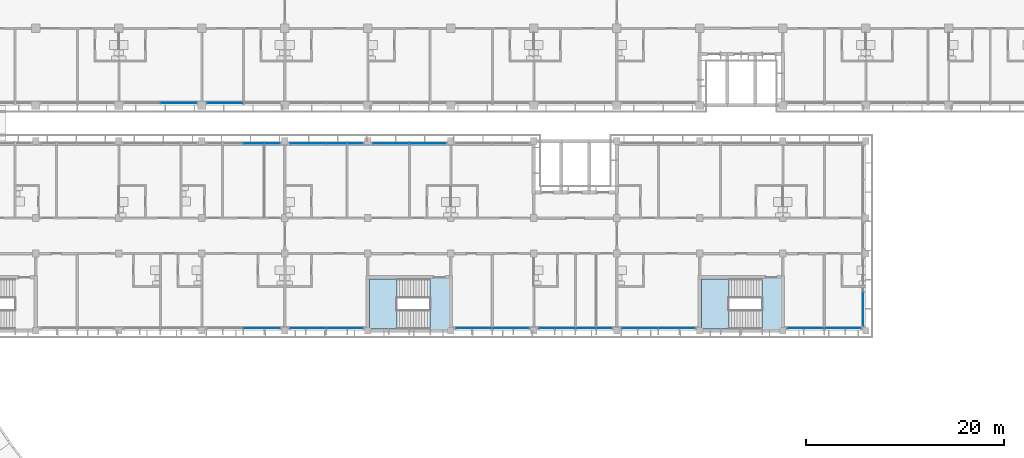
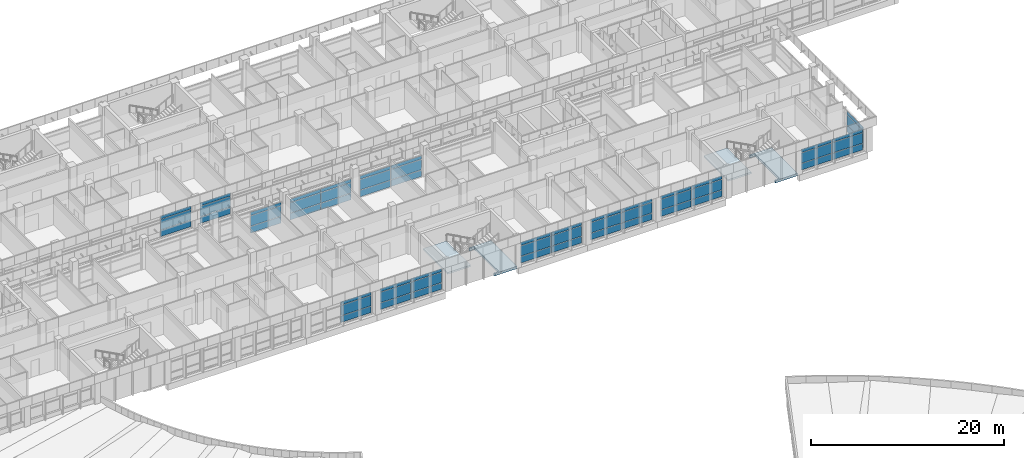
# One storey, part 23 of 74: 57 plates, 4 slabs, 14 elements without a shape of their own.
"""IFC4 building model written with IfcOpenShell, lengths in metres."""

import ifcopenshell
import ifcopenshell.guid

model = None  # the IFC model being written
_history = None  # IfcOwnerHistory: only IFC2X3 demands one
_inside = {}  # id of a spatial element -> (the spatial element, [elements in it])
_under = {}  # id of a project, library or spatial element -> (it, [spatial elements below it])
_declared = {}  # id of a project -> (the project, [libraries it declares])
_typed = {}  # id of a type object -> (the type object, [elements of that type])
_made_of = {}  # id of a material, layer set ... -> (it, [elements and type objects made of it])


def new_model(schema):
    """Start an empty IFC model of exactly this schema.

    Asked for "IFC4X3", IfcOpenShell would pick the latest addendum, in which some entities
    have other attributes; the version numbers below select the first issue.
    IFC2X3 requires an IfcOwnerHistory on every rooted entity: one is made here for all.
    """
    global model, _history
    if schema == "IFC4X3":
        model = ifcopenshell.file(schema_version=(4, 3, 0, 0))
    else:
        model = ifcopenshell.file(schema=schema)
    _inside.clear()
    _under.clear()
    _declared.clear()
    _typed.clear()
    _made_of.clear()
    _history = None
    if model.schema == "IFC2X3":
        org = make("IfcOrganization", Name="unknown")
        user = make(
            "IfcPersonAndOrganization",
            ThePerson=make("IfcPerson", FamilyName="unknown"),
            TheOrganization=org,
        )
        app = make(
            "IfcApplication",
            ApplicationDeveloper=org,
            Version="unknown",
            ApplicationFullName="unknown",
            ApplicationIdentifier="unknown",
        )
        _history = make(
            "IfcOwnerHistory",
            OwningUser=user,
            OwningApplication=app,
            ChangeAction="ADDED",
            CreationDate=0,
        )
    return model


def make(cls, **values):
    """One entity of the class cls with the attributes given. An attribute that is None is left unset."""
    return model.create_entity(
        cls, **{name: value for name, value in values.items() if value is not None}
    )


def rooted(cls, **values):
    """An entity with a GlobalId (a new one), such as an element, a storey or a relation."""
    return make(cls, GlobalId=ifcopenshell.guid.new(), OwnerHistory=_history, **values)


def si_unit(unit_type, name, prefix=None):
    """IfcSIUnit, for example si_unit("LENGTHUNIT", "METRE", prefix="MILLI")."""
    return make("IfcSIUnit", UnitType=unit_type, Prefix=prefix, Name=name)


def assignment(units):
    """IfcUnitAssignment: the units of a project."""
    return None if units is None else make("IfcUnitAssignment", Units=units)


def point(xyz):
    """IfcCartesianPoint."""
    return None if xyz is None else make("IfcCartesianPoint", Coordinates=xyz)


def direction(xyz):
    """IfcDirection."""
    return None if xyz is None else make("IfcDirection", DirectionRatios=xyz)


def frame(location, z_axis=None, x_axis=None):
    """IfcAxis2Placement3D, a coordinate frame: its origin and axes. An axis left out is left unset."""
    return make(
        "IfcAxis2Placement3D",
        Location=point(location),
        Axis=direction(z_axis),
        RefDirection=direction(x_axis),
    )


def frame_2d(location, x_axis=None):
    """IfcAxis2Placement2D, a coordinate frame in the plane: its origin and x axis."""
    return make(
        "IfcAxis2Placement2D", Location=point(location), RefDirection=direction(x_axis)
    )


def origin():
    """The frame at (0, 0, 0) with its axes left unset."""
    return frame((0.0, 0.0, 0.0))


def origin_2d():
    """The frame at (0, 0) in the plane with its x axis left unset."""
    return frame_2d((0.0, 0.0))


def place(relative_to, where):
    """IfcLocalPlacement: puts the frame where relative to a parent placement (None: the world)."""
    return make(
        "IfcLocalPlacement", PlacementRelTo=relative_to, RelativePlacement=where
    )


def context(
    kind, dimensions, precision=None, world=None, true_north=None, identifier=None
):
    """IfcGeometricRepresentationContext, for example the 3D "Model" context."""
    return make(
        "IfcGeometricRepresentationContext",
        ContextIdentifier=identifier,
        ContextType=kind,
        CoordinateSpaceDimension=dimensions,
        Precision=precision,
        WorldCoordinateSystem=world,
        TrueNorth=true_north,
    )


def subcontext(parent, identifier, kind, view, scale=None):
    """IfcGeometricRepresentationSubContext, for example "Body" below "Model"."""
    return make(
        "IfcGeometricRepresentationSubContext",
        ContextIdentifier=identifier,
        ContextType=kind,
        ParentContext=parent,
        TargetScale=scale,
        TargetView=view,
    )


def project(units=None, contexts=None):
    """IfcProject with its units and contexts."""
    return rooted(
        "IfcProject",
        Name="project",
        RepresentationContexts=contexts,
        UnitsInContext=assignment(units),
    )


def spatial(cls, under=None, at=None, **own):
    """A site, building, storey or space (cls), placed at a placement, below another one or the project."""
    s = rooted(cls, ObjectPlacement=at, **own)
    if under is not None:
        _under.setdefault(under.id(), (under, []))[1].append(s)
    return s


def polyline(points):
    """IfcPolyline through the points."""
    return make("IfcPolyline", Points=[point(p) for p in points])


def profile(cls, at=None, kind="AREA", **sizes):
    """A parametric profile (cls). Its sizes go by their IFC names, for example OverallWidth=200.0."""
    return make(cls, ProfileType=kind, Position=at, **sizes)


def rectangle(**sizes):
    """IfcRectangleProfileDef."""
    return profile("IfcRectangleProfileDef", **sizes)


def outline(outer, holes=None, kind="AREA"):
    """IfcArbitraryClosedProfileDef: a profile drawn as a closed curve; with holes, ...WithVoids."""
    if holes is None:
        return make("IfcArbitraryClosedProfileDef", ProfileType=kind, OuterCurve=outer)
    return make(
        "IfcArbitraryProfileDefWithVoids",
        ProfileType=kind,
        OuterCurve=outer,
        InnerCurves=holes,
    )


def extrude(swept, where, along, depth):
    """IfcExtrudedAreaSolid: the profile swept, set in the frame where, extruded along a direction by depth."""
    return make(
        "IfcExtrudedAreaSolid",
        SweptArea=swept,
        Position=where,
        ExtrudedDirection=direction(along),
        Depth=depth,
    )


def shape(context_of_items, identifier, shape_type, items):
    """IfcShapeRepresentation: the items that make up one representation, for example the "Body"."""
    return make(
        "IfcShapeRepresentation",
        ContextOfItems=context_of_items,
        RepresentationIdentifier=identifier,
        RepresentationType=shape_type,
        Items=items,
    )


def material(Name=None, Category=None):
    """IfcMaterial."""
    return make("IfcMaterial", Name=Name, Category=Category)


def layer(
    of_material, thickness, ventilated=None, Name=None, Category=None, Priority=None
):
    """IfcMaterialLayer: one layer of a wall or slab, of a material (None: an air gap)."""
    return make(
        "IfcMaterialLayer",
        Material=of_material,
        LayerThickness=thickness,
        IsVentilated=ventilated,
        Name=Name,
        Category=Category,
        Priority=Priority,
    )


def layer_set(layers, Name=None):
    """IfcMaterialLayerSet."""
    return make("IfcMaterialLayerSet", MaterialLayers=layers, LayerSetName=Name)


def made_of(thing, what):
    """Note that an element or type object is made of a material, layer set ...; save() writes the relation."""
    if what is not None:
        _made_of.setdefault(what.id(), (what, []))[1].append(thing)
    return thing


def type_object(cls, material=None, **own):
    """A type object (cls), such as IfcWallType, which elements share."""
    return made_of(rooted(cls, **own), material)


def element(
    cls,
    number,
    at=None,
    inside=None,
    cuts=None,
    type_object=None,
    material=None,
    context=None,
    identifier="Body",
    shape_type=None,
    held_by="IfcProductDefinitionShape",
    body=None,
    shapes=None,
    **own,
):
    """One element of the class cls, such as IfcWall. Its Tag is "e" and its number.

    at: its placement. inside: the storey or other place that contains it. cuts: it is an
    opening in that element (IfcRelVoidsElement). A single representation is given by context,
    identifier, shape_type and body (its items); several are given by shapes. held_by: the class
    of the entity that holds the representations. save() writes the other relations.
    """
    e = rooted(cls, Tag="e%d" % number, ObjectPlacement=at, **own)
    if body is not None:
        shapes = [shape(context, identifier, shape_type, body)]
    if shapes is not None:
        e.Representation = make(held_by, Representations=shapes)
    if inside is not None:
        _inside.setdefault(inside.id(), (inside, []))[1].append(e)
    if cuts is not None:
        rooted(
            "IfcRelVoidsElement", RelatingBuildingElement=cuts, RelatedOpeningElement=e
        )
    if type_object is not None:
        _typed.setdefault(type_object.id(), (type_object, []))[1].append(e)
    return made_of(e, material)


def aggregate(whole, parts):
    """IfcRelAggregates: a whole, such as a stair, and the parts it consists of."""
    return rooted("IfcRelAggregates", RelatingObject=whole, RelatedObjects=parts)


def save(model, path):
    """Write the relations noted so far, then the file.

    IfcRelAggregates (storeys below a building ...), IfcRelContainedInSpatialStructure (elements
    in a storey), IfcRelDefinesByType, IfcRelAssociatesMaterial and IfcRelDeclares: one each for
    every whole, place, type object, material and project.
    """
    for whole, parts in _under.values():
        aggregate(whole, parts)
    for where, things in _inside.values():
        rooted(
            "IfcRelContainedInSpatialStructure",
            RelatedElements=things,
            RelatingStructure=where,
        )
    for kind, things in _typed.values():
        rooted("IfcRelDefinesByType", RelatedObjects=things, RelatingType=kind)
    for what, things in _made_of.values():
        rooted("IfcRelAssociatesMaterial", RelatedObjects=things, RelatingMaterial=what)
    for by, libraries in _declared.values():
        rooted("IfcRelDeclares", RelatingContext=by, RelatedDefinitions=libraries)
    model.write(path)


model = new_model("IFC4")

# Units and contexts
model_context = context("Model", 3, precision=1e-05, world=origin(), true_north=direction((0.0, 1.0)))
body_context = subcontext(model_context, "Body", "Model", "MODEL_VIEW")
ifc_project = project(units=[si_unit("LENGTHUNIT", "METRE"), si_unit("AREAUNIT", "SQUARE_METRE"), si_unit("VOLUMEUNIT", "CUBIC_METRE"), si_unit("PLANEANGLEUNIT", "RADIAN"), si_unit("MASSUNIT", "GRAM", prefix="KILO")], contexts=[model_context])

# Site, building, storey
site_placement = place(None, origin())
site = spatial("IfcSite", under=ifc_project, at=site_placement, CompositionType="ELEMENT")
building_placement = place(site_placement, origin())
building = spatial("IfcBuilding", under=site, at=building_placement, Name="Bougainvillea Quay General Hospital", CompositionType="ELEMENT")
storey_placement = place(building_placement, frame((0.0, 0.0, 21.0)))
storey = spatial("IfcBuildingStorey", under=building, at=storey_placement, Name="L04", CompositionType="ELEMENT", Elevation=21.0)

# Curtain wall, plates
ifc_material_1 = material(Name="Aluminium curtain wall system, powder-coated glazed", Category="aluminium")
curtain_wall_type_1 = type_object("IfcCurtainWallType", Name="Unitised curtain wall CW-3730", PredefinedType="NOTDEFINED", material=ifc_material_1)
curtain_wall_1_placement = place(storey_placement, origin())
curtain_wall_1 = element("IfcCurtainWall", 1, at=curtain_wall_1_placement, inside=storey, type_object=curtain_wall_type_1, Name="CW-4200 02", PredefinedType="NOTDEFINED")
ifc_material_2 = material(Name="Insulated aluminium spandrel panel, white", Category="aluminium")
ifc_layer_1 = layer(ifc_material_2, 0.028076171875)
ifc_layer_set_1 = layer_set([ifc_layer_1], Name="Insulated aluminium spandrel panel, white")
plate_type_1 = type_object("IfcPlateType", Name="Insulated spandrel panel white 28", PredefinedType="CURTAIN_PANEL", material=ifc_layer_set_1)
plate_1_placement = place(storey_placement, frame((98.449951171875, 140.64990234375, 0.06005859375), z_axis=(0.0, 0.0, 1.0), x_axis=(1.0, 0.0, 0.0)))
plate_1 = element("IfcPlate", 2, at=plate_1_placement, type_object=plate_type_1, Name="CW-4200 spandrel panel 2.1", PredefinedType="CURTAIN_PANEL", context=body_context, shape_type="SweptSolid", body=[
    extrude(rectangle(XDim=3.639892578125, YDim=0.028076171875, at=origin_2d()), origin(), (0.0, 0.0, 1.0), 0.81005859375),
])
plate_2_placement = place(storey_placement, frame((98.449951171875, 140.64990234375, 2.2802734375), z_axis=(0.0, 0.0, 1.0), x_axis=(1.0, 0.0, 0.0)))
plate_2 = element("IfcPlate", 3, at=plate_2_placement, type_object=plate_type_1, Name="CW-4200 spandrel panel 2.3", PredefinedType="CURTAIN_PANEL", context=body_context, shape_type="SweptSolid", body=[
    extrude(rectangle(XDim=3.639892578125, YDim=0.028076171875, at=origin_2d()), origin(), (0.0, 0.0, 1.0), 0.409912109375),
])

curtain_wall_2_placement = place(storey_placement, origin())
curtain_wall_2 = element("IfcCurtainWall", 4, at=curtain_wall_2_placement, inside=storey, type_object=curtain_wall_type_1, Name="CW-4200 03", PredefinedType="NOTDEFINED")
plate_3_placement = place(storey_placement, frame((103.14990234375, 140.64990234375, 0.06005859375), z_axis=(0.0, 0.0, 1.0), x_axis=(1.0, 0.0, 0.0)))
plate_3 = element("IfcPlate", 5, at=plate_3_placement, type_object=plate_type_1, Name="CW-4200 spandrel panel 1.1", PredefinedType="CURTAIN_PANEL", context=body_context, shape_type="SweptSolid", body=[
    extrude(rectangle(XDim=3.639892578125, YDim=0.028076171875, at=origin_2d()), origin(), (0.0, 0.0, 1.0), 0.81005859375),
])
plate_4_placement = place(storey_placement, frame((103.14990234375, 140.64990234375, 2.2802734375), z_axis=(0.0, 0.0, 1.0), x_axis=(1.0, 0.0, 0.0)))
plate_4 = element("IfcPlate", 6, at=plate_4_placement, type_object=plate_type_1, Name="CW-4200 spandrel panel 1.3", PredefinedType="CURTAIN_PANEL", context=body_context, shape_type="SweptSolid", body=[
    extrude(rectangle(XDim=3.639892578125, YDim=0.028076171875, at=origin_2d()), origin(), (0.0, 0.0, 1.0), 0.409912109375),
])

curtain_wall_3_placement = place(storey_placement, origin())
curtain_wall_3 = element("IfcCurtainWall", 7, at=curtain_wall_3_placement, inside=storey, type_object=curtain_wall_type_1, Name="CW-4200 05", PredefinedType="NOTDEFINED")
plate_5_placement = place(storey_placement, frame((106.85009765625, 117.85009765625, 0.06005859375), z_axis=(0.0, 0.0, 1.0), x_axis=(1.0, 0.0, 0.0)))
plate_5 = element("IfcPlate", 8, at=plate_5_placement, type_object=plate_type_1, Name="CW-4200 spandrel panel 2.1", PredefinedType="CURTAIN_PANEL", context=body_context, shape_type="SweptSolid", body=[
    extrude(rectangle(XDim=3.639892578125, YDim=0.028076171875, at=origin_2d()), origin(), (0.0, 0.0, 1.0), 0.81005859375),
])
plate_6_placement = place(storey_placement, frame((106.85009765625, 117.85009765625, 2.2802734375), z_axis=(0.0, 0.0, 1.0), x_axis=(1.0, 0.0, 0.0)))
plate_6 = element("IfcPlate", 9, at=plate_6_placement, type_object=plate_type_1, Name="CW-4200 spandrel panel 2.3", PredefinedType="CURTAIN_PANEL", context=body_context, shape_type="SweptSolid", body=[
    extrude(rectangle(XDim=3.639892578125, YDim=0.028076171875, at=origin_2d()), origin(), (0.0, 0.0, 1.0), 0.409912109375),
])

curtain_wall_4_placement = place(storey_placement, origin())
curtain_wall_4 = element("IfcCurtainWall", 10, at=curtain_wall_4_placement, inside=storey, type_object=curtain_wall_type_1, Name="CW-4200 06", PredefinedType="NOTDEFINED")
plate_7_placement = place(storey_placement, frame((111.550048828125, 117.85009765625, 0.06005859375), z_axis=(0.0, 0.0, 1.0), x_axis=(1.0, 0.0, 0.0)))
plate_7 = element("IfcPlate", 11, at=plate_7_placement, type_object=plate_type_1, Name="CW-4200 spandrel panel 1.1", PredefinedType="CURTAIN_PANEL", context=body_context, shape_type="SweptSolid", body=[
    extrude(rectangle(XDim=3.639892578125, YDim=0.028076171875, at=origin_2d()), origin(), (0.0, 0.0, 1.0), 0.81005859375),
])
plate_8_placement = place(storey_placement, frame((111.550048828125, 117.85009765625, 2.2802734375), z_axis=(0.0, 0.0, 1.0), x_axis=(1.0, 0.0, 0.0)))
plate_8 = element("IfcPlate", 12, at=plate_8_placement, type_object=plate_type_1, Name="CW-4200 spandrel panel 1.3", PredefinedType="CURTAIN_PANEL", context=body_context, shape_type="SweptSolid", body=[
    extrude(rectangle(XDim=3.639892578125, YDim=0.028076171875, at=origin_2d()), origin(), (0.0, 0.0, 1.0), 0.409912109375),
])
plate_9_placement = place(storey_placement, frame((115.25, 117.85009765625, 0.06005859375), z_axis=(0.0, 0.0, 1.0), x_axis=(1.0, 0.0, 0.0)))
plate_9 = element("IfcPlate", 13, at=plate_9_placement, type_object=plate_type_1, Name="CW-4200 spandrel panel 2.1", PredefinedType="CURTAIN_PANEL", context=body_context, shape_type="SweptSolid", body=[
    extrude(rectangle(XDim=3.639892578125, YDim=0.028076171875, at=origin_2d()), origin(), (0.0, 0.0, 1.0), 0.81005859375),
])
plate_10_placement = place(storey_placement, frame((115.25, 117.85009765625, 2.2802734375), z_axis=(0.0, 0.0, 1.0), x_axis=(1.0, 0.0, 0.0)))
plate_10 = element("IfcPlate", 14, at=plate_10_placement, type_object=plate_type_1, Name="CW-4200 spandrel panel 2.3", PredefinedType="CURTAIN_PANEL", context=body_context, shape_type="SweptSolid", body=[
    extrude(rectangle(XDim=3.639892578125, YDim=0.028076171875, at=origin_2d()), origin(), (0.0, 0.0, 1.0), 0.409912109375),
])

curtain_wall_5_placement = place(storey_placement, origin())
curtain_wall_5 = element("IfcCurtainWall", 15, at=curtain_wall_5_placement, inside=storey, type_object=curtain_wall_type_1, Name="CW-4200 07", PredefinedType="NOTDEFINED")
plate_11_placement = place(storey_placement, frame((128.35009765625, 117.85009765625, 0.06005859375), z_axis=(0.0, 0.0, 1.0), x_axis=(1.0, 0.0, 0.0)))
plate_11 = element("IfcPlate", 16, at=plate_11_placement, type_object=plate_type_1, Name="CW-4200 spandrel panel 1.1", PredefinedType="CURTAIN_PANEL", context=body_context, shape_type="SweptSolid", body=[
    extrude(rectangle(XDim=3.639892578125, YDim=0.028076171875, at=origin_2d()), origin(), (0.0, 0.0, 1.0), 0.81005859375),
])
plate_12_placement = place(storey_placement, frame((128.35009765625, 117.85009765625, 2.2802734375), z_axis=(0.0, 0.0, 1.0), x_axis=(1.0, 0.0, 0.0)))
plate_12 = element("IfcPlate", 17, at=plate_12_placement, type_object=plate_type_1, Name="CW-4200 spandrel panel 1.3", PredefinedType="CURTAIN_PANEL", context=body_context, shape_type="SweptSolid", body=[
    extrude(rectangle(XDim=3.639892578125, YDim=0.028076171875, at=origin_2d()), origin(), (0.0, 0.0, 1.0), 0.409912109375),
])
plate_13_placement = place(storey_placement, frame((132.050048828125, 117.85009765625, 0.06005859375), z_axis=(0.0, 0.0, 1.0), x_axis=(1.0, 0.0, 0.0)))
plate_13 = element("IfcPlate", 18, at=plate_13_placement, type_object=plate_type_1, Name="CW-4200 spandrel panel 2.1", PredefinedType="CURTAIN_PANEL", context=body_context, shape_type="SweptSolid", body=[
    extrude(rectangle(XDim=3.639892578125, YDim=0.028076171875, at=origin_2d()), origin(), (0.0, 0.0, 1.0), 0.81005859375),
])
plate_14_placement = place(storey_placement, frame((132.050048828125, 117.85009765625, 2.2802734375), z_axis=(0.0, 0.0, 1.0), x_axis=(1.0, 0.0, 0.0)))
plate_14 = element("IfcPlate", 19, at=plate_14_placement, type_object=plate_type_1, Name="CW-4200 spandrel panel 2.3", PredefinedType="CURTAIN_PANEL", context=body_context, shape_type="SweptSolid", body=[
    extrude(rectangle(XDim=3.639892578125, YDim=0.028076171875, at=origin_2d()), origin(), (0.0, 0.0, 1.0), 0.409912109375),
])

curtain_wall_6_placement = place(storey_placement, origin())
curtain_wall_6 = element("IfcCurtainWall", 20, at=curtain_wall_6_placement, inside=storey, type_object=curtain_wall_type_1, Name="CW-4200 08", PredefinedType="NOTDEFINED")
plate_15_placement = place(storey_placement, frame((136.75, 117.85009765625, 0.06005859375), z_axis=(0.0, 0.0, 1.0), x_axis=(1.0, 0.0, 0.0)))
plate_15 = element("IfcPlate", 21, at=plate_15_placement, type_object=plate_type_1, Name="CW-4200 spandrel panel 1.1", PredefinedType="CURTAIN_PANEL", context=body_context, shape_type="SweptSolid", body=[
    extrude(rectangle(XDim=3.639892578125, YDim=0.028076171875, at=origin_2d()), origin(), (0.0, 0.0, 1.0), 0.81005859375),
])
plate_16_placement = place(storey_placement, frame((136.75, 117.85009765625, 2.2802734375), z_axis=(0.0, 0.0, 1.0), x_axis=(1.0, 0.0, 0.0)))
plate_16 = element("IfcPlate", 22, at=plate_16_placement, type_object=plate_type_1, Name="CW-4200 spandrel panel 1.3", PredefinedType="CURTAIN_PANEL", context=body_context, shape_type="SweptSolid", body=[
    extrude(rectangle(XDim=3.639892578125, YDim=0.028076171875, at=origin_2d()), origin(), (0.0, 0.0, 1.0), 0.409912109375),
])
plate_17_placement = place(storey_placement, frame((140.449951171875, 117.85009765625, 0.06005859375), z_axis=(0.0, 0.0, 1.0), x_axis=(1.0, 0.0, 0.0)))
plate_17 = element("IfcPlate", 23, at=plate_17_placement, type_object=plate_type_1, Name="CW-4200 spandrel panel 2.1", PredefinedType="CURTAIN_PANEL", context=body_context, shape_type="SweptSolid", body=[
    extrude(rectangle(XDim=3.639892578125, YDim=0.028076171875, at=origin_2d()), origin(), (0.0, 0.0, 1.0), 0.81005859375),
])
plate_18_placement = place(storey_placement, frame((140.449951171875, 117.85009765625, 2.2802734375), z_axis=(0.0, 0.0, 1.0), x_axis=(1.0, 0.0, 0.0)))
plate_18 = element("IfcPlate", 24, at=plate_18_placement, type_object=plate_type_1, Name="CW-4200 spandrel panel 2.3", PredefinedType="CURTAIN_PANEL", context=body_context, shape_type="SweptSolid", body=[
    extrude(rectangle(XDim=3.639892578125, YDim=0.028076171875, at=origin_2d()), origin(), (0.0, 0.0, 1.0), 0.409912109375),
])

curtain_wall_7_placement = place(storey_placement, origin())
curtain_wall_7 = element("IfcCurtainWall", 25, at=curtain_wall_7_placement, inside=storey, type_object=curtain_wall_type_1, Name="CW-4200 09", PredefinedType="NOTDEFINED")
plate_19_placement = place(storey_placement, frame((145.14990234375, 117.85009765625, 0.06005859375), z_axis=(0.0, 0.0, 1.0), x_axis=(1.0, 0.0, 0.0)))
plate_19 = element("IfcPlate", 26, at=plate_19_placement, type_object=plate_type_1, Name="CW-4200 spandrel panel 1.1", PredefinedType="CURTAIN_PANEL", context=body_context, shape_type="SweptSolid", body=[
    extrude(rectangle(XDim=3.639892578125, YDim=0.028076171875, at=origin_2d()), origin(), (0.0, 0.0, 1.0), 0.81005859375),
])
plate_20_placement = place(storey_placement, frame((145.14990234375, 117.85009765625, 2.2802734375), z_axis=(0.0, 0.0, 1.0), x_axis=(1.0, 0.0, 0.0)))
plate_20 = element("IfcPlate", 27, at=plate_20_placement, type_object=plate_type_1, Name="CW-4200 spandrel panel 1.3", PredefinedType="CURTAIN_PANEL", context=body_context, shape_type="SweptSolid", body=[
    extrude(rectangle(XDim=3.639892578125, YDim=0.028076171875, at=origin_2d()), origin(), (0.0, 0.0, 1.0), 0.409912109375),
])
plate_21_placement = place(storey_placement, frame((148.85009765625, 117.85009765625, 0.06005859375), z_axis=(0.0, 0.0, 1.0), x_axis=(1.0, 0.0, 0.0)))
plate_21 = element("IfcPlate", 28, at=plate_21_placement, type_object=plate_type_1, Name="CW-4200 spandrel panel 2.1", PredefinedType="CURTAIN_PANEL", context=body_context, shape_type="SweptSolid", body=[
    extrude(rectangle(XDim=3.639892578125, YDim=0.028076171875, at=origin_2d()), origin(), (0.0, 0.0, 1.0), 0.81005859375),
])
plate_22_placement = place(storey_placement, frame((148.85009765625, 117.85009765625, 2.2802734375), z_axis=(0.0, 0.0, 1.0), x_axis=(1.0, 0.0, 0.0)))
plate_22 = element("IfcPlate", 29, at=plate_22_placement, type_object=plate_type_1, Name="CW-4200 spandrel panel 2.3", PredefinedType="CURTAIN_PANEL", context=body_context, shape_type="SweptSolid", body=[
    extrude(rectangle(XDim=3.639892578125, YDim=0.028076171875, at=origin_2d()), origin(), (0.0, 0.0, 1.0), 0.409912109375),
])

curtain_wall_8_placement = place(storey_placement, origin())
curtain_wall_8 = element("IfcCurtainWall", 30, at=curtain_wall_8_placement, inside=storey, type_object=curtain_wall_type_1, Name="CW-4200 10", PredefinedType="NOTDEFINED")
plate_23_placement = place(storey_placement, frame((161.949951171875, 117.85009765625, 0.06005859375), z_axis=(0.0, 0.0, 1.0), x_axis=(1.0, 0.0, 0.0)))
plate_23 = element("IfcPlate", 31, at=plate_23_placement, type_object=plate_type_1, Name="CW-4200 spandrel panel 1.1", PredefinedType="CURTAIN_PANEL", context=body_context, shape_type="SweptSolid", body=[
    extrude(rectangle(XDim=3.639892578125, YDim=0.028076171875, at=origin_2d()), origin(), (0.0, 0.0, 1.0), 0.81005859375),
])
plate_24_placement = place(storey_placement, frame((161.949951171875, 117.85009765625, 2.2802734375), z_axis=(0.0, 0.0, 1.0), x_axis=(1.0, 0.0, 0.0)))
plate_24 = element("IfcPlate", 32, at=plate_24_placement, type_object=plate_type_1, Name="CW-4200 spandrel panel 1.3", PredefinedType="CURTAIN_PANEL", context=body_context, shape_type="SweptSolid", body=[
    extrude(rectangle(XDim=3.639892578125, YDim=0.028076171875, at=origin_2d()), origin(), (0.0, 0.0, 1.0), 0.409912109375),
])
plate_25_placement = place(storey_placement, frame((165.64990234375, 117.85009765625, 0.06005859375), z_axis=(0.0, 0.0, 1.0), x_axis=(1.0, 0.0, 0.0)))
plate_25 = element("IfcPlate", 33, at=plate_25_placement, type_object=plate_type_1, Name="CW-4200 spandrel panel 2.1", PredefinedType="CURTAIN_PANEL", context=body_context, shape_type="SweptSolid", body=[
    extrude(rectangle(XDim=3.639892578125, YDim=0.028076171875, at=origin_2d()), origin(), (0.0, 0.0, 1.0), 0.81005859375),
])
plate_26_placement = place(storey_placement, frame((165.64990234375, 117.85009765625, 2.2802734375), z_axis=(0.0, 0.0, 1.0), x_axis=(1.0, 0.0, 0.0)))
plate_26 = element("IfcPlate", 34, at=plate_26_placement, type_object=plate_type_1, Name="CW-4200 spandrel panel 2.3", PredefinedType="CURTAIN_PANEL", context=body_context, shape_type="SweptSolid", body=[
    extrude(rectangle(XDim=3.639892578125, YDim=0.028076171875, at=origin_2d()), origin(), (0.0, 0.0, 1.0), 0.409912109375),
])

curtain_wall_type_2 = type_object("IfcCurtainWallType", Name="Unitised curtain wall CW-3430", PredefinedType="NOTDEFINED", material=ifc_material_1)
curtain_wall_9_placement = place(storey_placement, origin())
curtain_wall_9 = element("IfcCurtainWall", 35, at=curtain_wall_9_placement, inside=storey, type_object=curtain_wall_type_2, Name="CW-4200 00", PredefinedType="NOTDEFINED")
plate_27_placement = place(storey_placement, frame((167.75, 119.800048828125, 0.06005859375), z_axis=(0.0, 0.0, 1.0), x_axis=(0.0, 1.0, 0.0)))
plate_27 = element("IfcPlate", 36, at=plate_27_placement, type_object=plate_type_1, Name="CW-4200 spandrel panel 1.1", PredefinedType="CURTAIN_PANEL", context=body_context, shape_type="SweptSolid", body=[
    extrude(rectangle(XDim=3.340087890625, YDim=0.028076171875, at=origin_2d()), origin(), (0.0, 0.0, 1.0), 0.81005859375),
])
plate_28_placement = place(storey_placement, frame((167.75, 119.800048828125, 2.2802734375), z_axis=(0.0, 0.0, 1.0), x_axis=(0.0, 1.0, 0.0)))
plate_28 = element("IfcPlate", 37, at=plate_28_placement, type_object=plate_type_1, Name="CW-4200 spandrel panel 1.3", PredefinedType="CURTAIN_PANEL", context=body_context, shape_type="SweptSolid", body=[
    extrude(rectangle(XDim=3.340087890625, YDim=0.028076171875, at=origin_2d()), origin(), (0.0, 0.0, 1.0), 0.409912109375),
])

curtain_wall_10_placement = place(storey_placement, origin())
curtain_wall_10 = element("IfcCurtainWall", 38, at=curtain_wall_10_placement, inside=storey, type_object=curtain_wall_type_1, Name="CW-4200 01", PredefinedType="NOTDEFINED")
plate_29_placement = place(storey_placement, frame((123.64990234375, 136.550048828125, 0.06005859375), z_axis=(0.0, 0.0, 1.0), x_axis=(-1.0, 0.0, 0.0)))
plate_29 = element("IfcPlate", 39, at=plate_29_placement, type_object=plate_type_1, Name="CW-4200 spandrel panel 1.1", PredefinedType="CURTAIN_PANEL", context=body_context, shape_type="SweptSolid", body=[
    extrude(rectangle(XDim=3.639892578125, YDim=0.028076171875, at=origin_2d()), origin(), (0.0, 0.0, 1.0), 0.81005859375),
])
plate_30_placement = place(storey_placement, frame((123.64990234375, 136.550048828125, 2.2802734375), z_axis=(0.0, 0.0, 1.0), x_axis=(-1.0, 0.0, 0.0)))
plate_30 = element("IfcPlate", 40, at=plate_30_placement, type_object=plate_type_1, Name="CW-4200 spandrel panel 1.3", PredefinedType="CURTAIN_PANEL", context=body_context, shape_type="SweptSolid", body=[
    extrude(rectangle(XDim=3.639892578125, YDim=0.028076171875, at=origin_2d()), origin(), (0.0, 0.0, 1.0), 0.409912109375),
])
plate_31_placement = place(storey_placement, frame((119.949951171875, 136.550048828125, 0.06005859375), z_axis=(0.0, 0.0, 1.0), x_axis=(-1.0, 0.0, 0.0)))
plate_31 = element("IfcPlate", 41, at=plate_31_placement, type_object=plate_type_1, Name="CW-4200 spandrel panel 2.1", PredefinedType="CURTAIN_PANEL", context=body_context, shape_type="SweptSolid", body=[
    extrude(rectangle(XDim=3.639892578125, YDim=0.028076171875, at=origin_2d()), origin(), (0.0, 0.0, 1.0), 0.81005859375),
])
plate_32_placement = place(storey_placement, frame((119.949951171875, 136.550048828125, 2.2802734375), z_axis=(0.0, 0.0, 1.0), x_axis=(-1.0, 0.0, 0.0)))
plate_32 = element("IfcPlate", 42, at=plate_32_placement, type_object=plate_type_1, Name="CW-4200 spandrel panel 2.3", PredefinedType="CURTAIN_PANEL", context=body_context, shape_type="SweptSolid", body=[
    extrude(rectangle(XDim=3.639892578125, YDim=0.028076171875, at=origin_2d()), origin(), (0.0, 0.0, 1.0), 0.409912109375),
])

curtain_wall_11_placement = place(storey_placement, origin())
curtain_wall_11 = element("IfcCurtainWall", 43, at=curtain_wall_11_placement, inside=storey, type_object=curtain_wall_type_1, Name="CW-4200 02", PredefinedType="NOTDEFINED")
plate_33_placement = place(storey_placement, frame((115.25, 136.550048828125, 0.06005859375), z_axis=(0.0, 0.0, 1.0), x_axis=(-1.0, 0.0, 0.0)))
plate_33 = element("IfcPlate", 44, at=plate_33_placement, type_object=plate_type_1, Name="CW-4200 spandrel panel 1.1", PredefinedType="CURTAIN_PANEL", context=body_context, shape_type="SweptSolid", body=[
    extrude(rectangle(XDim=3.639892578125, YDim=0.028076171875, at=origin_2d()), origin(), (0.0, 0.0, 1.0), 0.81005859375),
])
plate_34_placement = place(storey_placement, frame((115.25, 136.550048828125, 2.2802734375), z_axis=(0.0, 0.0, 1.0), x_axis=(-1.0, 0.0, 0.0)))
plate_34 = element("IfcPlate", 45, at=plate_34_placement, type_object=plate_type_1, Name="CW-4200 spandrel panel 1.3", PredefinedType="CURTAIN_PANEL", context=body_context, shape_type="SweptSolid", body=[
    extrude(rectangle(XDim=3.639892578125, YDim=0.028076171875, at=origin_2d()), origin(), (0.0, 0.0, 1.0), 0.409912109375),
])
plate_35_placement = place(storey_placement, frame((111.550048828125, 136.550048828125, 0.06005859375), z_axis=(0.0, 0.0, 1.0), x_axis=(-1.0, 0.0, 0.0)))
plate_35 = element("IfcPlate", 46, at=plate_35_placement, type_object=plate_type_1, Name="CW-4200 spandrel panel 2.1", PredefinedType="CURTAIN_PANEL", context=body_context, shape_type="SweptSolid", body=[
    extrude(rectangle(XDim=3.639892578125, YDim=0.028076171875, at=origin_2d()), origin(), (0.0, 0.0, 1.0), 0.81005859375),
])
plate_36_placement = place(storey_placement, frame((111.550048828125, 136.550048828125, 2.2802734375), z_axis=(0.0, 0.0, 1.0), x_axis=(-1.0, 0.0, 0.0)))
plate_36 = element("IfcPlate", 47, at=plate_36_placement, type_object=plate_type_1, Name="CW-4200 spandrel panel 2.3", PredefinedType="CURTAIN_PANEL", context=body_context, shape_type="SweptSolid", body=[
    extrude(rectangle(XDim=3.639892578125, YDim=0.028076171875, at=origin_2d()), origin(), (0.0, 0.0, 1.0), 0.409912109375),
])

curtain_wall_12_placement = place(storey_placement, origin())
curtain_wall_12 = element("IfcCurtainWall", 48, at=curtain_wall_12_placement, inside=storey, type_object=curtain_wall_type_1, Name="CW-4200 03", PredefinedType="NOTDEFINED")
plate_37_placement = place(storey_placement, frame((106.85009765625, 136.550048828125, 0.06005859375), z_axis=(0.0, 0.0, 1.0), x_axis=(-1.0, 0.0, 0.0)))
plate_37 = element("IfcPlate", 49, at=plate_37_placement, type_object=plate_type_1, Name="CW-4200 spandrel panel 1.1", PredefinedType="CURTAIN_PANEL", context=body_context, shape_type="SweptSolid", body=[
    extrude(rectangle(XDim=3.639892578125, YDim=0.028076171875, at=origin_2d()), origin(), (0.0, 0.0, 1.0), 0.81005859375),
])
plate_38_placement = place(storey_placement, frame((106.85009765625, 136.550048828125, 2.2802734375), z_axis=(0.0, 0.0, 1.0), x_axis=(-1.0, 0.0, 0.0)))
plate_38 = element("IfcPlate", 50, at=plate_38_placement, type_object=plate_type_1, Name="CW-4200 spandrel panel 1.3", PredefinedType="CURTAIN_PANEL", context=body_context, shape_type="SweptSolid", body=[
    extrude(rectangle(XDim=3.639892578125, YDim=0.028076171875, at=origin_2d()), origin(), (0.0, 0.0, 1.0), 0.409912109375),
])

# Plate
ifc_material_3 = material(Name="Low-e laminated glass, solar control", Category="glass")
ifc_layer_2 = layer(ifc_material_3, 0.028076171875)
ifc_layer_set_2 = layer_set([ifc_layer_2], Name="Low-e laminated glass, solar control")
plate_type_2 = type_object("IfcPlateType", Name="Low-e laminated vision glass 28", PredefinedType="CURTAIN_PANEL", material=ifc_layer_set_2)
plate_39_placement = place(storey_placement, frame((98.449951171875, 140.64990234375, 0.929931640625), z_axis=(0.0, 0.0, 1.0), x_axis=(1.0, 0.0, 0.0)))
plate_39 = element("IfcPlate", 51, at=plate_39_placement, type_object=plate_type_2, Name="CW-4200 vision glass panel 2.2", PredefinedType="CURTAIN_PANEL", context=body_context, shape_type="SweptSolid", body=[
    extrude(rectangle(XDim=3.639892578125, YDim=0.028076171875, at=origin_2d()), origin(), (0.0, 0.0, 1.0), 1.2900390625),
])

aggregate(curtain_wall_1, [plate_1, plate_39, plate_2])

plate_40_placement = place(storey_placement, frame((103.14990234375, 140.64990234375, 0.929931640625), z_axis=(0.0, 0.0, 1.0), x_axis=(1.0, 0.0, 0.0)))
plate_40 = element("IfcPlate", 52, at=plate_40_placement, type_object=plate_type_2, Name="CW-4200 vision glass panel 1.2", PredefinedType="CURTAIN_PANEL", context=body_context, shape_type="SweptSolid", body=[
    extrude(rectangle(XDim=3.639892578125, YDim=0.028076171875, at=origin_2d()), origin(), (0.0, 0.0, 1.0), 1.2900390625),
])

aggregate(curtain_wall_2, [plate_3, plate_40, plate_4])

plate_41_placement = place(storey_placement, frame((106.85009765625, 117.85009765625, 0.929931640625), z_axis=(0.0, 0.0, 1.0), x_axis=(1.0, 0.0, 0.0)))
plate_41 = element("IfcPlate", 53, at=plate_41_placement, type_object=plate_type_2, Name="CW-4200 vision glass panel 2.2", PredefinedType="CURTAIN_PANEL", context=body_context, shape_type="SweptSolid", body=[
    extrude(rectangle(XDim=3.639892578125, YDim=0.028076171875, at=origin_2d()), origin(), (0.0, 0.0, 1.0), 1.2900390625),
])

aggregate(curtain_wall_3, [plate_5, plate_41, plate_6])

plate_42_placement = place(storey_placement, frame((111.550048828125, 117.85009765625, 0.929931640625), z_axis=(0.0, 0.0, 1.0), x_axis=(1.0, 0.0, 0.0)))
plate_42 = element("IfcPlate", 54, at=plate_42_placement, type_object=plate_type_2, Name="CW-4200 vision glass panel 1.2", PredefinedType="CURTAIN_PANEL", context=body_context, shape_type="SweptSolid", body=[
    extrude(rectangle(XDim=3.639892578125, YDim=0.028076171875, at=origin_2d()), origin(), (0.0, 0.0, 1.0), 1.2900390625),
])

plate_43_placement = place(storey_placement, frame((115.25, 117.85009765625, 0.929931640625), z_axis=(0.0, 0.0, 1.0), x_axis=(1.0, 0.0, 0.0)))
plate_43 = element("IfcPlate", 55, at=plate_43_placement, type_object=plate_type_2, Name="CW-4200 vision glass panel 2.2", PredefinedType="CURTAIN_PANEL", context=body_context, shape_type="SweptSolid", body=[
    extrude(rectangle(XDim=3.639892578125, YDim=0.028076171875, at=origin_2d()), origin(), (0.0, 0.0, 1.0), 1.2900390625),
])

aggregate(curtain_wall_4, [plate_7, plate_42, plate_8, plate_9, plate_43, plate_10])

plate_44_placement = place(storey_placement, frame((128.35009765625, 117.85009765625, 0.929931640625), z_axis=(0.0, 0.0, 1.0), x_axis=(1.0, 0.0, 0.0)))
plate_44 = element("IfcPlate", 56, at=plate_44_placement, type_object=plate_type_2, Name="CW-4200 vision glass panel 1.2", PredefinedType="CURTAIN_PANEL", context=body_context, shape_type="SweptSolid", body=[
    extrude(rectangle(XDim=3.639892578125, YDim=0.028076171875, at=origin_2d()), origin(), (0.0, 0.0, 1.0), 1.2900390625),
])

plate_45_placement = place(storey_placement, frame((132.050048828125, 117.85009765625, 0.929931640625), z_axis=(0.0, 0.0, 1.0), x_axis=(1.0, 0.0, 0.0)))
plate_45 = element("IfcPlate", 57, at=plate_45_placement, type_object=plate_type_2, Name="CW-4200 vision glass panel 2.2", PredefinedType="CURTAIN_PANEL", context=body_context, shape_type="SweptSolid", body=[
    extrude(rectangle(XDim=3.639892578125, YDim=0.028076171875, at=origin_2d()), origin(), (0.0, 0.0, 1.0), 1.2900390625),
])

aggregate(curtain_wall_5, [plate_11, plate_44, plate_12, plate_13, plate_45, plate_14])

plate_46_placement = place(storey_placement, frame((136.75, 117.85009765625, 0.929931640625), z_axis=(0.0, 0.0, 1.0), x_axis=(1.0, 0.0, 0.0)))
plate_46 = element("IfcPlate", 58, at=plate_46_placement, type_object=plate_type_2, Name="CW-4200 vision glass panel 1.2", PredefinedType="CURTAIN_PANEL", context=body_context, shape_type="SweptSolid", body=[
    extrude(rectangle(XDim=3.639892578125, YDim=0.028076171875, at=origin_2d()), origin(), (0.0, 0.0, 1.0), 1.2900390625),
])

plate_47_placement = place(storey_placement, frame((140.449951171875, 117.85009765625, 0.929931640625), z_axis=(0.0, 0.0, 1.0), x_axis=(1.0, 0.0, 0.0)))
plate_47 = element("IfcPlate", 59, at=plate_47_placement, type_object=plate_type_2, Name="CW-4200 vision glass panel 2.2", PredefinedType="CURTAIN_PANEL", context=body_context, shape_type="SweptSolid", body=[
    extrude(rectangle(XDim=3.639892578125, YDim=0.028076171875, at=origin_2d()), origin(), (0.0, 0.0, 1.0), 1.2900390625),
])

aggregate(curtain_wall_6, [plate_15, plate_46, plate_16, plate_17, plate_47, plate_18])

plate_48_placement = place(storey_placement, frame((145.14990234375, 117.85009765625, 0.929931640625), z_axis=(0.0, 0.0, 1.0), x_axis=(1.0, 0.0, 0.0)))
plate_48 = element("IfcPlate", 60, at=plate_48_placement, type_object=plate_type_2, Name="CW-4200 vision glass panel 1.2", PredefinedType="CURTAIN_PANEL", context=body_context, shape_type="SweptSolid", body=[
    extrude(rectangle(XDim=3.639892578125, YDim=0.028076171875, at=origin_2d()), origin(), (0.0, 0.0, 1.0), 1.2900390625),
])

plate_49_placement = place(storey_placement, frame((148.85009765625, 117.85009765625, 0.929931640625), z_axis=(0.0, 0.0, 1.0), x_axis=(1.0, 0.0, 0.0)))
plate_49 = element("IfcPlate", 61, at=plate_49_placement, type_object=plate_type_2, Name="CW-4200 vision glass panel 2.2", PredefinedType="CURTAIN_PANEL", context=body_context, shape_type="SweptSolid", body=[
    extrude(rectangle(XDim=3.639892578125, YDim=0.028076171875, at=origin_2d()), origin(), (0.0, 0.0, 1.0), 1.2900390625),
])

aggregate(curtain_wall_7, [plate_19, plate_48, plate_20, plate_21, plate_49, plate_22])

plate_50_placement = place(storey_placement, frame((161.949951171875, 117.85009765625, 0.929931640625), z_axis=(0.0, 0.0, 1.0), x_axis=(1.0, 0.0, 0.0)))
plate_50 = element("IfcPlate", 62, at=plate_50_placement, type_object=plate_type_2, Name="CW-4200 vision glass panel 1.2", PredefinedType="CURTAIN_PANEL", context=body_context, shape_type="SweptSolid", body=[
    extrude(rectangle(XDim=3.639892578125, YDim=0.028076171875, at=origin_2d()), origin(), (0.0, 0.0, 1.0), 1.2900390625),
])

plate_51_placement = place(storey_placement, frame((165.64990234375, 117.85009765625, 0.929931640625), z_axis=(0.0, 0.0, 1.0), x_axis=(1.0, 0.0, 0.0)))
plate_51 = element("IfcPlate", 63, at=plate_51_placement, type_object=plate_type_2, Name="CW-4200 vision glass panel 2.2", PredefinedType="CURTAIN_PANEL", context=body_context, shape_type="SweptSolid", body=[
    extrude(rectangle(XDim=3.639892578125, YDim=0.028076171875, at=origin_2d()), origin(), (0.0, 0.0, 1.0), 1.2900390625),
])

aggregate(curtain_wall_8, [plate_23, plate_50, plate_24, plate_25, plate_51, plate_26])

plate_52_placement = place(storey_placement, frame((167.75, 119.800048828125, 0.929931640625), z_axis=(0.0, 0.0, 1.0), x_axis=(0.0, 1.0, 0.0)))
plate_52 = element("IfcPlate", 64, at=plate_52_placement, type_object=plate_type_2, Name="CW-4200 vision glass panel 1.2", PredefinedType="CURTAIN_PANEL", context=body_context, shape_type="SweptSolid", body=[
    extrude(rectangle(XDim=3.340087890625, YDim=0.028076171875, at=origin_2d()), origin(), (0.0, 0.0, 1.0), 1.2900390625),
])

aggregate(curtain_wall_9, [plate_27, plate_52, plate_28])

plate_53_placement = place(storey_placement, frame((123.64990234375, 136.550048828125, 0.929931640625), z_axis=(0.0, 0.0, 1.0), x_axis=(-1.0, 0.0, 0.0)))
plate_53 = element("IfcPlate", 65, at=plate_53_placement, type_object=plate_type_2, Name="CW-4200 vision glass panel 1.2", PredefinedType="CURTAIN_PANEL", context=body_context, shape_type="SweptSolid", body=[
    extrude(rectangle(XDim=3.639892578125, YDim=0.028076171875, at=origin_2d()), origin(), (0.0, 0.0, 1.0), 1.2900390625),
])

plate_54_placement = place(storey_placement, frame((119.949951171875, 136.550048828125, 0.929931640625), z_axis=(0.0, 0.0, 1.0), x_axis=(-1.0, 0.0, 0.0)))
plate_54 = element("IfcPlate", 66, at=plate_54_placement, type_object=plate_type_2, Name="CW-4200 vision glass panel 2.2", PredefinedType="CURTAIN_PANEL", context=body_context, shape_type="SweptSolid", body=[
    extrude(rectangle(XDim=3.639892578125, YDim=0.028076171875, at=origin_2d()), origin(), (0.0, 0.0, 1.0), 1.2900390625),
])

aggregate(curtain_wall_10, [plate_29, plate_53, plate_30, plate_31, plate_54, plate_32])

plate_55_placement = place(storey_placement, frame((115.25, 136.550048828125, 0.929931640625), z_axis=(0.0, 0.0, 1.0), x_axis=(-1.0, 0.0, 0.0)))
plate_55 = element("IfcPlate", 67, at=plate_55_placement, type_object=plate_type_2, Name="CW-4200 vision glass panel 1.2", PredefinedType="CURTAIN_PANEL", context=body_context, shape_type="SweptSolid", body=[
    extrude(rectangle(XDim=3.639892578125, YDim=0.028076171875, at=origin_2d()), origin(), (0.0, 0.0, 1.0), 1.2900390625),
])

plate_56_placement = place(storey_placement, frame((111.550048828125, 136.550048828125, 0.929931640625), z_axis=(0.0, 0.0, 1.0), x_axis=(-1.0, 0.0, 0.0)))
plate_56 = element("IfcPlate", 68, at=plate_56_placement, type_object=plate_type_2, Name="CW-4200 vision glass panel 2.2", PredefinedType="CURTAIN_PANEL", context=body_context, shape_type="SweptSolid", body=[
    extrude(rectangle(XDim=3.639892578125, YDim=0.028076171875, at=origin_2d()), origin(), (0.0, 0.0, 1.0), 1.2900390625),
])

aggregate(curtain_wall_11, [plate_33, plate_55, plate_34, plate_35, plate_56, plate_36])

plate_57_placement = place(storey_placement, frame((106.85009765625, 136.550048828125, 0.929931640625), z_axis=(0.0, 0.0, 1.0), x_axis=(-1.0, 0.0, 0.0)))
plate_57 = element("IfcPlate", 69, at=plate_57_placement, type_object=plate_type_2, Name="CW-4200 vision glass panel 1.2", PredefinedType="CURTAIN_PANEL", context=body_context, shape_type="SweptSolid", body=[
    extrude(rectangle(XDim=3.639892578125, YDim=0.028076171875, at=origin_2d()), origin(), (0.0, 0.0, 1.0), 1.2900390625),
])

aggregate(curtain_wall_12, [plate_37, plate_57, plate_38])

# Slabs
ifc_material_4 = material(Name="Concrete C35", Category="concrete")
ifc_layer_3 = layer(ifc_material_4, 0.300048828125)
ifc_layer_set_3 = layer_set([ifc_layer_3], Name="Concrete C35")
slab_type_1 = type_object("IfcSlabType", Name="RC FLAT SLAB 300 C35", PredefinedType="FLOOR", material=ifc_layer_set_3)
slab_1_placement = place(storey_placement, frame((0.0, 0.0, -0.300048828125)))
element("IfcSlab", 70, at=slab_1_placement, inside=storey, type_object=slab_type_1, Name="Stair landing floor ST-B3 L04", PredefinedType="FLOOR", context=body_context, shape_type="SweptSolid", body=[
    extrude(outline(polyline([(123.302978515625, 122.8837890625), (123.3115234375, 122.942138671875), (123.325927734375, 122.99951171875), (126.0, 123.0), (126.0, 117.60009765625), (123.325927734375, 117.600341796875), (123.3115234375, 117.657958984375), (123.302978515625, 117.71630859375), (123.300048828125, 117.77392578125), (123.900634765625, 117.7744140625), (123.900634765625, 122.82568359375), (123.300048828125, 122.825927734375), (123.302978515625, 122.8837890625)])), origin(), (0.0, 0.0, 1.0), 0.300048828125),
])
slab_2_placement = place(storey_placement, frame((0.0, 0.0, -0.300048828125)))
element("IfcSlab", 71, at=slab_2_placement, inside=storey, type_object=slab_type_1, Name="Stair landing floor ST-B4 L04", PredefinedType="FLOOR", context=body_context, shape_type="SweptSolid", body=[
    extrude(outline(polyline([(156.90283203125, 122.8837890625), (156.91162109375, 122.942138671875), (156.926025390625, 122.99951171875), (159.60009765625, 123.0), (159.60009765625, 117.60009765625), (156.926025390625, 117.600341796875), (156.91162109375, 117.657958984375), (156.90283203125, 117.71630859375), (156.89990234375, 117.77392578125), (157.500732421875, 117.7744140625), (157.500732421875, 122.82568359375), (156.89990234375, 122.825927734375), (156.90283203125, 122.8837890625)])), origin(), (0.0, 0.0, 1.0), 0.300048828125),
])

# Stair, slab
stair_type = type_object("IfcStairType", Name="Stair half-turn 1925 wide", PredefinedType="HALF_TURN_STAIR", material=ifc_material_4)
stair_1_placement = place(storey_placement, origin())
stair_1 = element("IfcStair", 72, at=stair_1_placement, inside=storey, type_object=stair_type, Name="L04 stair ST-B3", PredefinedType="HALF_TURN_STAIR")
ifc_layer_4 = layer(ifc_material_4, 0.199951171875)
ifc_layer_set_4 = layer_set([ifc_layer_4], Name="Concrete C35")
slab_type_2 = type_object("IfcSlabType", Name="Stair landing 200", PredefinedType="LANDING", material=ifc_layer_set_4)
slab_3_placement = place(storey_placement, frame((0.0, 0.0, 1.75)))
slab_3 = element("IfcSlab", 73, at=slab_3_placement, type_object=slab_type_2, Name="ST-B3 landing 1", PredefinedType="LANDING", context=body_context, shape_type="SweptSolid", body=[
    extrude(outline(polyline([(120.5400390625, 122.824951171875), (117.77490234375, 122.824951171875), (117.77490234375, 117.77490234375), (120.5400390625, 117.77490234375), (120.5400390625, 122.824951171875)])), origin(), (0.0, 0.0, 1.0), 0.199951171875),
])
aggregate(stair_1, [slab_3])

stair_2_placement = place(storey_placement, origin())
stair_2 = element("IfcStair", 74, at=stair_2_placement, inside=storey, type_object=stair_type, Name="L04 stair ST-B4", PredefinedType="HALF_TURN_STAIR")
slab_4_placement = place(storey_placement, frame((0.0, 0.0, 1.75)))
slab_4 = element("IfcSlab", 75, at=slab_4_placement, type_object=slab_type_2, Name="ST-B4 landing 1", PredefinedType="LANDING", context=body_context, shape_type="SweptSolid", body=[
    extrude(outline(polyline([(154.139892578125, 122.824951171875), (151.375, 122.824951171875), (151.375, 117.77490234375), (154.139892578125, 117.77490234375), (154.139892578125, 122.824951171875)])), origin(), (0.0, 0.0, 1.0), 0.199951171875),
])
aggregate(stair_2, [slab_4])

save(model, "model.ifc")
